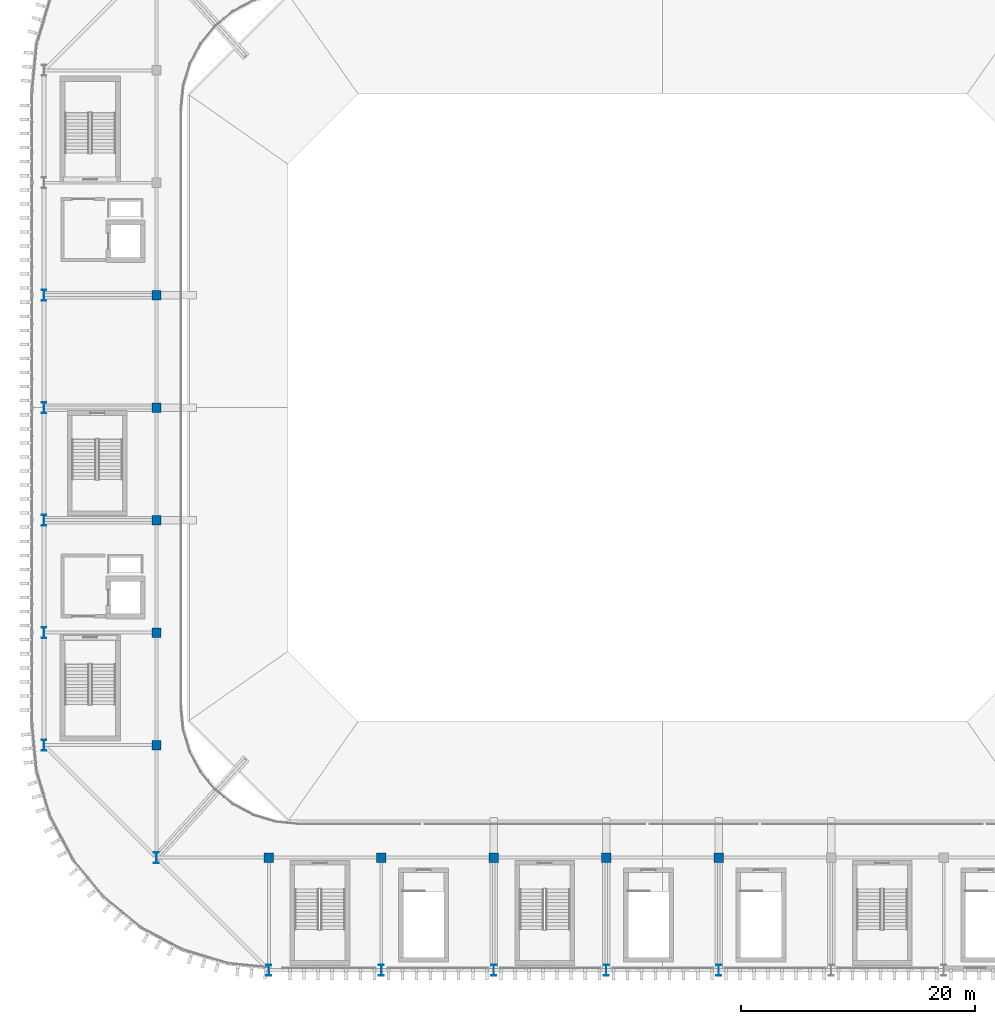
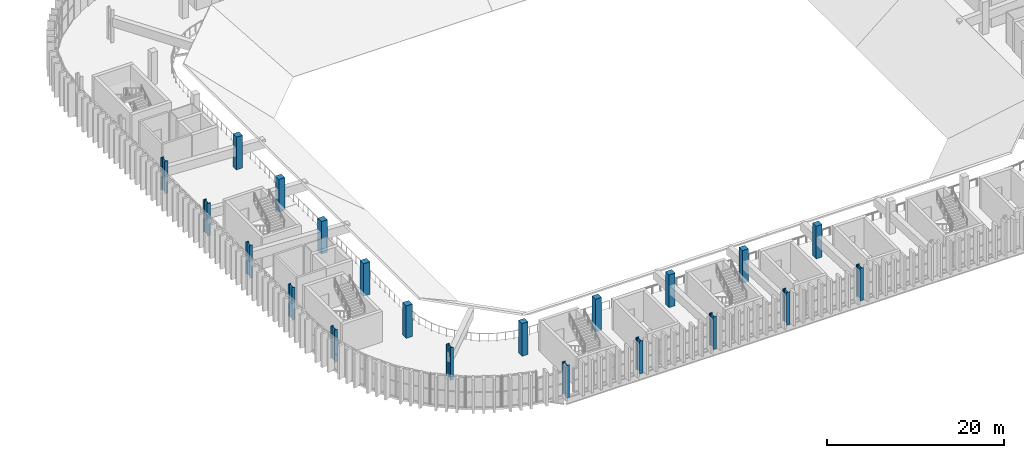
# One storey, part 1 of 69: 21 columns.
"""IFC4 building model written with IfcOpenShell, lengths in metres."""

import ifcopenshell
import ifcopenshell.guid

model = None  # the IFC model being written
_history = None  # IfcOwnerHistory: only IFC2X3 demands one
_inside = {}  # id of a spatial element -> (the spatial element, [elements in it])
_under = {}  # id of a project, library or spatial element -> (it, [spatial elements below it])
_declared = {}  # id of a project -> (the project, [libraries it declares])
_typed = {}  # id of a type object -> (the type object, [elements of that type])
_made_of = {}  # id of a material, layer set ... -> (it, [elements and type objects made of it])


def new_model(schema):
    """Start an empty IFC model of exactly this schema.

    Asked for "IFC4X3", IfcOpenShell would pick the latest addendum, in which some entities
    have other attributes; the version numbers below select the first issue.
    IFC2X3 requires an IfcOwnerHistory on every rooted entity: one is made here for all.
    """
    global model, _history
    if schema == "IFC4X3":
        model = ifcopenshell.file(schema_version=(4, 3, 0, 0))
    else:
        model = ifcopenshell.file(schema=schema)
    _inside.clear()
    _under.clear()
    _declared.clear()
    _typed.clear()
    _made_of.clear()
    _history = None
    if model.schema == "IFC2X3":
        org = make("IfcOrganization", Name="unknown")
        user = make(
            "IfcPersonAndOrganization",
            ThePerson=make("IfcPerson", FamilyName="unknown"),
            TheOrganization=org,
        )
        app = make(
            "IfcApplication",
            ApplicationDeveloper=org,
            Version="unknown",
            ApplicationFullName="unknown",
            ApplicationIdentifier="unknown",
        )
        _history = make(
            "IfcOwnerHistory",
            OwningUser=user,
            OwningApplication=app,
            ChangeAction="ADDED",
            CreationDate=0,
        )
    return model


def make(cls, **values):
    """One entity of the class cls with the attributes given. An attribute that is None is left unset."""
    return model.create_entity(
        cls, **{name: value for name, value in values.items() if value is not None}
    )


def rooted(cls, **values):
    """An entity with a GlobalId (a new one), such as an element, a storey or a relation."""
    return make(cls, GlobalId=ifcopenshell.guid.new(), OwnerHistory=_history, **values)


def si_unit(unit_type, name, prefix=None):
    """IfcSIUnit, for example si_unit("LENGTHUNIT", "METRE", prefix="MILLI")."""
    return make("IfcSIUnit", UnitType=unit_type, Prefix=prefix, Name=name)


def assignment(units):
    """IfcUnitAssignment: the units of a project."""
    return None if units is None else make("IfcUnitAssignment", Units=units)


def point(xyz):
    """IfcCartesianPoint."""
    return None if xyz is None else make("IfcCartesianPoint", Coordinates=xyz)


def direction(xyz):
    """IfcDirection."""
    return None if xyz is None else make("IfcDirection", DirectionRatios=xyz)


def frame(location, z_axis=None, x_axis=None):
    """IfcAxis2Placement3D, a coordinate frame: its origin and axes. An axis left out is left unset."""
    return make(
        "IfcAxis2Placement3D",
        Location=point(location),
        Axis=direction(z_axis),
        RefDirection=direction(x_axis),
    )


def frame_2d(location, x_axis=None):
    """IfcAxis2Placement2D, a coordinate frame in the plane: its origin and x axis."""
    return make(
        "IfcAxis2Placement2D", Location=point(location), RefDirection=direction(x_axis)
    )


def origin():
    """The frame at (0, 0, 0) with its axes left unset."""
    return frame((0.0, 0.0, 0.0))


def origin_2d():
    """The frame at (0, 0) in the plane with its x axis left unset."""
    return frame_2d((0.0, 0.0))


def place(relative_to, where):
    """IfcLocalPlacement: puts the frame where relative to a parent placement (None: the world)."""
    return make(
        "IfcLocalPlacement", PlacementRelTo=relative_to, RelativePlacement=where
    )


def context(
    kind, dimensions, precision=None, world=None, true_north=None, identifier=None
):
    """IfcGeometricRepresentationContext, for example the 3D "Model" context."""
    return make(
        "IfcGeometricRepresentationContext",
        ContextIdentifier=identifier,
        ContextType=kind,
        CoordinateSpaceDimension=dimensions,
        Precision=precision,
        WorldCoordinateSystem=world,
        TrueNorth=true_north,
    )


def subcontext(parent, identifier, kind, view, scale=None):
    """IfcGeometricRepresentationSubContext, for example "Body" below "Model"."""
    return make(
        "IfcGeometricRepresentationSubContext",
        ContextIdentifier=identifier,
        ContextType=kind,
        ParentContext=parent,
        TargetScale=scale,
        TargetView=view,
    )


def project(units=None, contexts=None):
    """IfcProject with its units and contexts."""
    return rooted(
        "IfcProject",
        Name="project",
        RepresentationContexts=contexts,
        UnitsInContext=assignment(units),
    )


def spatial(cls, under=None, at=None, **own):
    """A site, building, storey or space (cls), placed at a placement, below another one or the project."""
    s = rooted(cls, ObjectPlacement=at, **own)
    if under is not None:
        _under.setdefault(under.id(), (under, []))[1].append(s)
    return s


def profile(cls, at=None, kind="AREA", **sizes):
    """A parametric profile (cls). Its sizes go by their IFC names, for example OverallWidth=200.0."""
    return make(cls, ProfileType=kind, Position=at, **sizes)


def rectangle(**sizes):
    """IfcRectangleProfileDef."""
    return profile("IfcRectangleProfileDef", **sizes)


def i_section(**sizes):
    """IfcIShapeProfileDef."""
    return profile("IfcIShapeProfileDef", **sizes)


def extrude(swept, where, along, depth):
    """IfcExtrudedAreaSolid: the profile swept, set in the frame where, extruded along a direction by depth."""
    return make(
        "IfcExtrudedAreaSolid",
        SweptArea=swept,
        Position=where,
        ExtrudedDirection=direction(along),
        Depth=depth,
    )


def shape(context_of_items, identifier, shape_type, items):
    """IfcShapeRepresentation: the items that make up one representation, for example the "Body"."""
    return make(
        "IfcShapeRepresentation",
        ContextOfItems=context_of_items,
        RepresentationIdentifier=identifier,
        RepresentationType=shape_type,
        Items=items,
    )


def material(Name=None, Category=None):
    """IfcMaterial."""
    return make("IfcMaterial", Name=Name, Category=Category)


def material_profile(
    of_material, cross_section, Name=None, Category=None, Priority=None
):
    """IfcMaterialProfile: a cross section and its material."""
    return make(
        "IfcMaterialProfile",
        Name=Name,
        Material=of_material,
        Profile=cross_section,
        Priority=Priority,
        Category=Category,
    )


def profile_set(profiles, Name=None, composite=None):
    """IfcMaterialProfileSet."""
    return make(
        "IfcMaterialProfileSet",
        Name=Name,
        MaterialProfiles=profiles,
        CompositeProfile=composite,
    )


def made_of(thing, what):
    """Note that an element or type object is made of a material, layer set ...; save() writes the relation."""
    if what is not None:
        _made_of.setdefault(what.id(), (what, []))[1].append(thing)
    return thing


def type_object(cls, material=None, **own):
    """A type object (cls), such as IfcWallType, which elements share."""
    return made_of(rooted(cls, **own), material)


def element(
    cls,
    number,
    at=None,
    inside=None,
    cuts=None,
    type_object=None,
    material=None,
    context=None,
    identifier="Body",
    shape_type=None,
    held_by="IfcProductDefinitionShape",
    body=None,
    shapes=None,
    **own,
):
    """One element of the class cls, such as IfcWall. Its Tag is "e" and its number.

    at: its placement. inside: the storey or other place that contains it. cuts: it is an
    opening in that element (IfcRelVoidsElement). A single representation is given by context,
    identifier, shape_type and body (its items); several are given by shapes. held_by: the class
    of the entity that holds the representations. save() writes the other relations.
    """
    e = rooted(cls, Tag="e%d" % number, ObjectPlacement=at, **own)
    if body is not None:
        shapes = [shape(context, identifier, shape_type, body)]
    if shapes is not None:
        e.Representation = make(held_by, Representations=shapes)
    if inside is not None:
        _inside.setdefault(inside.id(), (inside, []))[1].append(e)
    if cuts is not None:
        rooted(
            "IfcRelVoidsElement", RelatingBuildingElement=cuts, RelatedOpeningElement=e
        )
    if type_object is not None:
        _typed.setdefault(type_object.id(), (type_object, []))[1].append(e)
    return made_of(e, material)


def aggregate(whole, parts):
    """IfcRelAggregates: a whole, such as a stair, and the parts it consists of."""
    return rooted("IfcRelAggregates", RelatingObject=whole, RelatedObjects=parts)


def save(model, path):
    """Write the relations noted so far, then the file.

    IfcRelAggregates (storeys below a building ...), IfcRelContainedInSpatialStructure (elements
    in a storey), IfcRelDefinesByType, IfcRelAssociatesMaterial and IfcRelDeclares: one each for
    every whole, place, type object, material and project.
    """
    for whole, parts in _under.values():
        aggregate(whole, parts)
    for where, things in _inside.values():
        rooted(
            "IfcRelContainedInSpatialStructure",
            RelatedElements=things,
            RelatingStructure=where,
        )
    for kind, things in _typed.values():
        rooted("IfcRelDefinesByType", RelatedObjects=things, RelatingType=kind)
    for what, things in _made_of.values():
        rooted("IfcRelAssociatesMaterial", RelatedObjects=things, RelatingMaterial=what)
    for by, libraries in _declared.values():
        rooted("IfcRelDeclares", RelatingContext=by, RelatedDefinitions=libraries)
    model.write(path)


model = new_model("IFC4")

# Units and contexts
model_context = context("Model", 3, precision=1e-05, world=origin(), true_north=direction((0.0, 1.0)))
body_context = subcontext(model_context, "Body", "Model", "MODEL_VIEW")
ifc_project = project(units=[si_unit("LENGTHUNIT", "METRE"), si_unit("AREAUNIT", "SQUARE_METRE"), si_unit("VOLUMEUNIT", "CUBIC_METRE"), si_unit("PLANEANGLEUNIT", "RADIAN"), si_unit("MASSUNIT", "GRAM", prefix="KILO")], contexts=[model_context])

# Site, building, storey
site_placement = place(None, origin())
site = spatial("IfcSite", under=ifc_project, at=site_placement, CompositionType="ELEMENT")
building_placement = place(site_placement, origin())
building = spatial("IfcBuilding", under=site, at=building_placement, Name="Caelomonte Colonnade Arena", CompositionType="ELEMENT")
storey_placement = place(building_placement, frame((0.0, 0.0, 18.60009765625)))
storey = spatial("IfcBuildingStorey", under=building, at=storey_placement, Name="L04", CompositionType="ELEMENT", Elevation=18.60009765625)

# Columns
ifc_material_1 = material(Name="Concrete C40/50", Category="concrete")
ifc_material_profile_1 = material_profile(ifc_material_1, rectangle(XDim=0.800048828125, YDim=0.800048828125, at=origin_2d()), Name="RC800X800")
ifc_profile_set_1 = profile_set([ifc_material_profile_1], Name="Concrete C40/50")
column_type_1 = type_object("IfcColumnType", Name="STR-COL-RC08", PredefinedType="COLUMN", material=ifc_profile_set_1)
for number, where, z_axis, x_axis, name in (
    (1, (67.199951171875, 38.39990234375, 0.0), (0.0, 0.0, 1.0), (1.0, 0.0, 0.0), "L04 column (67.2, 38.4)"),
    (2, (67.199951171875, 48.0, 0.0), (0.0, 0.0, 1.0), (1.0, 0.0, 0.0), "L04 column (67.2, 48.0)"),
    (3, (67.199951171875, 57.60009765625, 0.0), (0.0, 0.0, 1.0), (1.0, 0.0, 0.0), "L04 column (67.2, 57.6)"),
    (4, (67.199951171875, 67.199951171875, 0.0), (0.0, 0.0, 1.0), (1.0, 0.0, 0.0), "L04 column (67.2, 67.2)"),
    (5, (67.199951171875, 76.800048828125, 0.0), (0.0, 0.0, 1.0), (1.0, 0.0, 0.0), "L04 column (67.2, 76.8)"),
    (6, (76.800048828125, 28.800048828125, 0.0), (0.0, 0.0, 1.0), (1.0, 0.0, 0.0), "L04 column (76.8, 28.8)"),
    (7, (86.39990234375, 28.800048828125, 0.0), (0.0, 0.0, 1.0), (1.0, 0.0, 0.0), "L04 column (86.4, 28.8)"),
    (8, (96.0, 28.800048828125, 0.0), (0.0, 0.0, 1.0), (1.0, 0.0, 0.0), "L04 column (96.0, 28.8)"),
    (9, (105.60009765625, 28.800048828125, 0.0), (0.0, 0.0, 1.0), (1.0, 0.0, 0.0), "L04 column (105.6, 28.8)"),
    (10, (115.199951171875, 28.800048828125, 0.0), (0.0, 0.0, 1.0), (1.0, 0.0, 0.0), "L04 column (115.2, 28.8)"),
):
    element("IfcColumn", number, at=place(storey_placement, frame(where, z_axis=z_axis, x_axis=x_axis)), inside=storey, type_object=column_type_1, Name=name, PredefinedType="COLUMN", context=body_context, shape_type="SweptSolid", body=[
        extrude(rectangle(XDim=0.800048828125, YDim=0.800048828125, at=origin_2d()), origin(), (0.0, 0.0, 1.0), 4.5),
    ])
ifc_material_2 = material(Name="Wide-flange steel ASTM A992 Grade 50", Category="steel")
ifc_material_profile_2 = material_profile(ifc_material_2, i_section(OverallWidth=0.418212890625, OverallDepth=0.927001953125, WebThickness=0.019287109375, FlangeThickness=0.031982421875, FilletRadius=0.024169921875, at=origin_2d()), Name="W36X231")
ifc_profile_set_2 = profile_set([ifc_material_profile_2], Name="Wide-flange steel ASTM A992 Grade 50")
column_type_2 = type_object("IfcColumnType", Name="STR-COL-W36B", PredefinedType="COLUMN", material=ifc_profile_set_2)
for number, where, z_axis, x_axis, name in (
    (11, (57.60009765625, 38.39990234375, 0.0), (0.0, 0.0, 1.0), (1.0, 0.0, 0.0), "L04 column (57.6, 38.4)"),
    (12, (57.60009765625, 48.0, 0.0), (0.0, 0.0, 1.0), (1.0, 0.0, 0.0), "L04 column (57.6, 48.0)"),
    (13, (57.60009765625, 57.60009765625, 0.0), (0.0, 0.0, 1.0), (1.0, 0.0, 0.0), "L04 column (57.6, 57.6)"),
    (14, (57.60009765625, 67.199951171875, 0.0), (0.0, 0.0, 1.0), (1.0, 0.0, 0.0), "L04 column (57.6, 67.2)"),
    (15, (57.60009765625, 76.800048828125, 0.0), (0.0, 0.0, 1.0), (1.0, 0.0, 0.0), "L04 column (57.6, 76.8)"),
    (16, (67.199951171875, 28.800048828125, 0.0), (0.0, 0.0, 1.0), (1.0, 0.0, 0.0), "L04 column (67.2, 28.8)"),
    (17, (76.800048828125, 19.199951171875, 0.0), (0.0, 0.0, 1.0), (1.0, 0.0, 0.0), "L04 column (76.8, 19.2)"),
    (18, (86.39990234375, 19.199951171875, 0.0), (0.0, 0.0, 1.0), (1.0, 0.0, 0.0), "L04 column (86.4, 19.2)"),
    (19, (96.0, 19.199951171875, 0.0), (0.0, 0.0, 1.0), (1.0, 0.0, 0.0), "L04 column (96.0, 19.2)"),
    (20, (105.60009765625, 19.199951171875, 0.0), (0.0, 0.0, 1.0), (1.0, 0.0, 0.0), "L04 column (105.6, 19.2)"),
    (21, (115.199951171875, 19.199951171875, 0.0), (0.0, 0.0, 1.0), (1.0, 0.0, 0.0), "L04 column (115.2, 19.2)"),
):
    element("IfcColumn", number, at=place(storey_placement, frame(where, z_axis=z_axis, x_axis=x_axis)), inside=storey, type_object=column_type_2, Name=name, PredefinedType="COLUMN", context=body_context, shape_type="SweptSolid", body=[
        extrude(i_section(OverallWidth=0.418212890625, OverallDepth=0.927001953125, WebThickness=0.019287109375, FlangeThickness=0.031982421875, FilletRadius=0.024169921875, at=origin_2d()), origin(), (0.0, 0.0, 1.0), 4.5),
    ])

save(model, "model.ifc")
